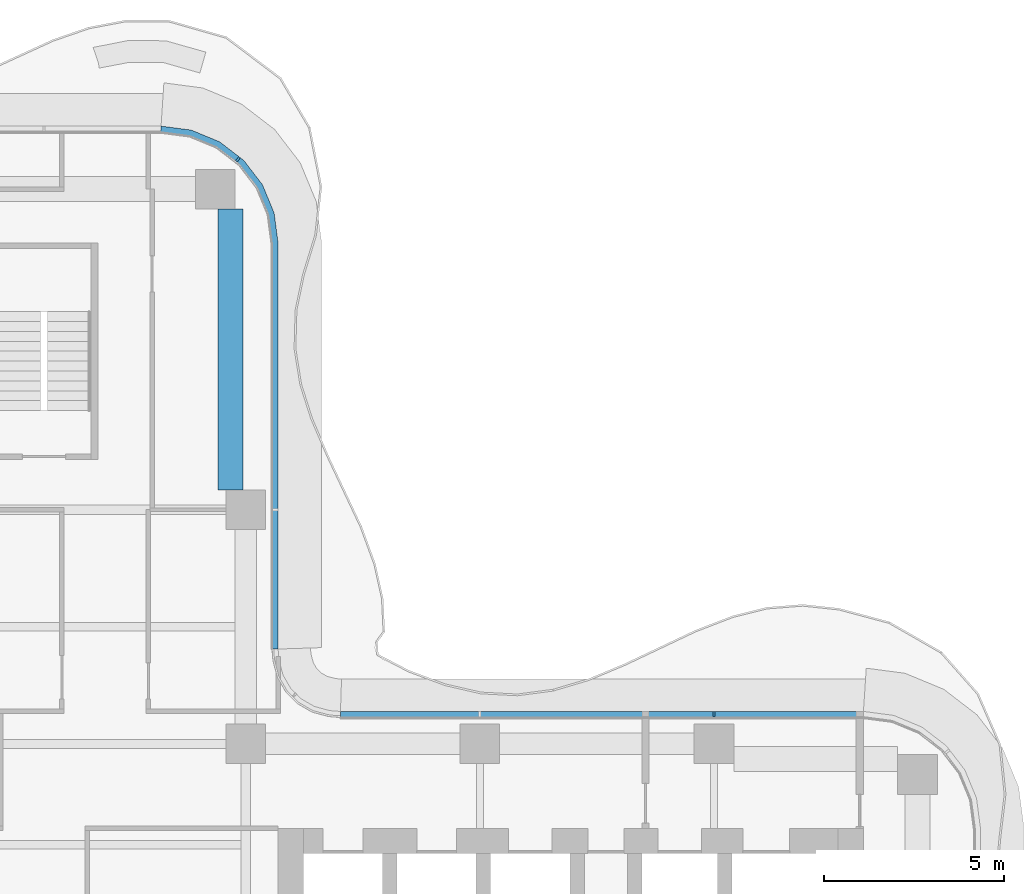
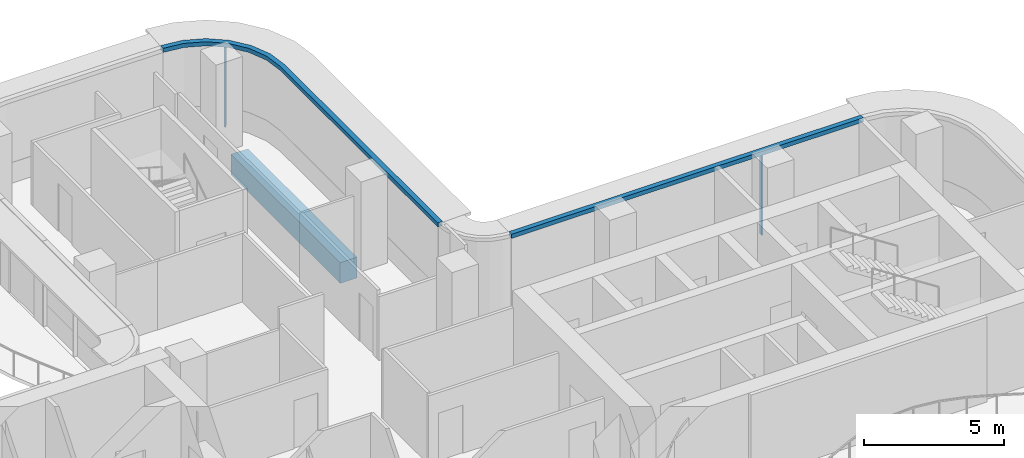
# One storey, part 8 of 17: 4 members, 1 beam, 2 elements without a shape of their own.
"""IFC4 building model written with IfcOpenShell, lengths in metres."""

from ifc_helpers import new_model, si_unit, direction, frame, origin, origin_2d, place, context, subcontext, project, spatial, polyline, rectangle, outline, extrude, source, transform, mapped, material, layer, layer_set, material_profile, profile_set, type_object, element, aggregate, save


model = new_model("IFC4")

# Units and contexts
model_context = context("Model", 3, precision=1e-05, world=origin(), true_north=direction((0.0, 1.0)))
body_context = subcontext(model_context, "Body", "Model", "MODEL_VIEW")
ifc_project = project(units=[si_unit("LENGTHUNIT", "METRE"), si_unit("AREAUNIT", "SQUARE_METRE"), si_unit("VOLUMEUNIT", "CUBIC_METRE"), si_unit("PLANEANGLEUNIT", "RADIAN"), si_unit("MASSUNIT", "GRAM", prefix="KILO")], contexts=[model_context])

# Site, building, storey
site_placement = place(None, origin())
site = spatial("IfcSite", under=ifc_project, at=site_placement, CompositionType="ELEMENT")
building_placement = place(site_placement, origin())
building = spatial("IfcBuilding", under=site, at=building_placement, Name="Trellis Farm Tower", CompositionType="ELEMENT")
storey_placement = place(building_placement, frame((0.0, 0.0, 232.39990234375)))
storey = spatial("IfcBuildingStorey", under=building, at=storey_placement, Name="L51", CompositionType="ELEMENT", Elevation=232.39990234375)

# Beam
ifc_material_1 = material(Name="Concrete C60/75", Category="concrete")
ifc_material_profile_1 = material_profile(ifc_material_1, rectangle(XDim=0.699951171875, YDim=0.89990234375, at=origin_2d()), Name="RC spandrel beam 700x900 C60/75")
ifc_profile_set_1 = profile_set([ifc_material_profile_1], Name="Concrete C60/75")
beam_type = type_object("IfcBeamType", Name="RC spandrel beam 700x900 C60/75", PredefinedType="SPANDREL", material=ifc_profile_set_1)
shared_shape_1 = source(origin(), body_context, "Body", "SweptSolid", [
    extrude(rectangle(XDim=0.699951171875, YDim=0.89990234375, at=origin_2d()), origin(), (0.0, 0.0, 1.0), 7.800048828125),
])
beam_placement = place(storey_placement, frame((5.175048828125, 12.64990234375, -0.64990234375), z_axis=(0.0, 1.0, 0.0), x_axis=(-1.0, 0.0, 0.0)))
element("IfcBeam", 1, at=beam_placement, inside=storey, type_object=beam_type, Name="Girder", PredefinedType="SPANDREL", context=body_context, shape_type="MappedRepresentation", body=[
    mapped(shared_shape_1, transform((0.0, 0.0, 0.0))),
])

# Curtain wall, member
ifc_material_2 = material(Name="Aluminium and glass curtain wall", Category="aluminium")
ifc_layer_1 = layer(ifc_material_2, 0.18994140625)
ifc_layer_set_1 = layer_set([ifc_layer_1], Name="RIBBON CURTAIN WALL CW1")
curtain_wall_type = type_object("IfcCurtainWallType", Name="RIBBON CURTAIN WALL CW1", PredefinedType="NOTDEFINED", material=ifc_layer_set_1)
placement_1 = place(storey_placement, origin())
curtain_wall_1 = element("IfcCurtainWall", 2, at=placement_1, inside=storey, type_object=curtain_wall_type, Name="CW1 007", PredefinedType="NOTDEFINED")
ifc_material_3 = material(Name="Aluminium extrusion 6063-T6", Category="aluminium")
ifc_material_profile_2 = material_profile(ifc_material_3, rectangle(XDim=0.06005859375, YDim=0.14990234375, at=origin_2d()), Name="MULLION 60x150")
ifc_profile_set_2 = profile_set([ifc_material_profile_2], Name="Aluminium extrusion 6063-T6")
member_type_1 = type_object("IfcMemberType", Name="CW1 MULLION 60x150", PredefinedType="MULLION", material=ifc_profile_set_2)
shared_shape_2 = source(origin(), body_context, "Body", "SweptSolid", [
    extrude(rectangle(XDim=0.06005859375, YDim=0.14990234375, at=origin_2d()), origin(), (0.0, 0.0, 1.0), 3.52001953125),
])
member_1_placement = place(storey_placement, frame((18.60009765625, 6.425048828125, 0.0), z_axis=(0.0, 0.0, 1.0), x_axis=(-1.0, 0.0, 0.0)))
member_1 = element("IfcMember", 3, at=member_1_placement, type_object=member_type_1, Name="MU1 007-01", PredefinedType="MULLION", context=body_context, shape_type="MappedRepresentation", body=[
    mapped(shared_shape_2, transform((0.0, 0.0, 0.0))),
])

# Curtain wall, members
curtain_wall_2 = element("IfcCurtainWall", 4, at=placement_1, inside=storey, type_object=curtain_wall_type, Name="CW1 008", PredefinedType="NOTDEFINED")
member_2_placement = place(storey_placement, frame((5.385498046875, 21.828369140625, 0.0), z_axis=(0.0, 0.0, 1.0), x_axis=(-0.793353340291, 0.608761429009, 0.0)))
member_2 = element("IfcMember", 5, at=member_2_placement, type_object=member_type_1, Name="MU1 008-02", PredefinedType="MULLION", context=body_context, shape_type="MappedRepresentation", body=[
    mapped(shared_shape_2, transform((0.0, 0.0, 0.0))),
])
ifc_layer_2 = layer(ifc_material_3, 0.199951171875)
ifc_layer_set_2 = layer_set([ifc_layer_2], Name="Aluminium extrusion 6063-T6")
member_type_2 = type_object("IfcMemberType", Name="CW1 TRANSOM 200x180", PredefinedType="USERDEFINED", material=ifc_layer_set_2)
shared_shape_3 = source(origin(), body_context, "Body", "SweptSolid", [
    extrude(outline(polyline([(6.5, 8.2314453125), (6.5, 19.5), (6.38916015625, 20.341064453125), (6.064697265625, 21.125), (5.548095703125, 21.798095703125), (4.875, 22.314697265625), (4.091064453125, 22.63916015625), (3.25, 22.75), (3.23681640625, 22.550048828125), (4.0390625, 22.4443359375), (4.774169921875, 22.139892578125), (5.405517578125, 21.655517578125), (5.889892578125, 21.024169921875), (6.1943359375, 20.2890625), (6.300048828125, 19.48681640625), (6.300048828125, 8.224853515625), (6.5, 8.2314453125)])), origin(), (0.0, 0.0, 1.0), 0.18017578125),
])
placement_2 = place(storey_placement, frame((0.0, 0.0, 3.52001953125)))
member_3 = element("IfcMember", 6, at=placement_2, type_object=member_type_2, Name="TR1 008", ObjectType="TRANSOM", PredefinedType="USERDEFINED", context=body_context, shape_type="MappedRepresentation", body=[
    mapped(shared_shape_3, transform((0.0, 0.0, 0.0))),
])
aggregate(curtain_wall_2, [member_2, member_3])

# Member
shared_shape_4 = source(origin(), body_context, "Body", "SweptSolid", [
    extrude(outline(polyline([(22.75, 6.5), (8.2314453125, 6.5), (8.224853515625, 6.300048828125), (22.73681640625, 6.300048828125), (22.75, 6.5)])), origin(), (0.0, 0.0, 1.0), 0.18017578125),
])
member_4 = element("IfcMember", 7, at=placement_2, type_object=member_type_2, Name="TR1 007", ObjectType="TRANSOM", PredefinedType="USERDEFINED", context=body_context, shape_type="MappedRepresentation", body=[
    mapped(shared_shape_4, transform((0.0, 0.0, 0.0))),
])

aggregate(curtain_wall_1, [member_1, member_4])

save(model, "model.ifc")
